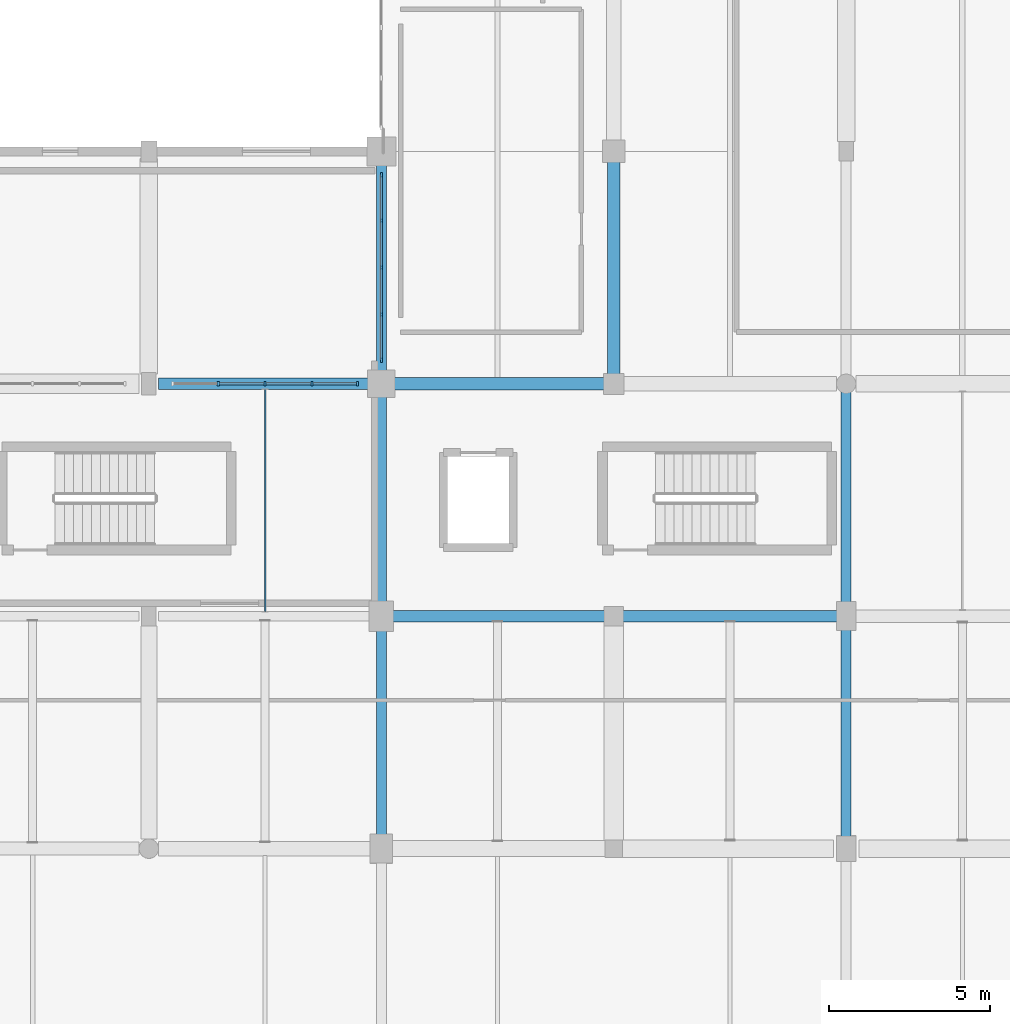
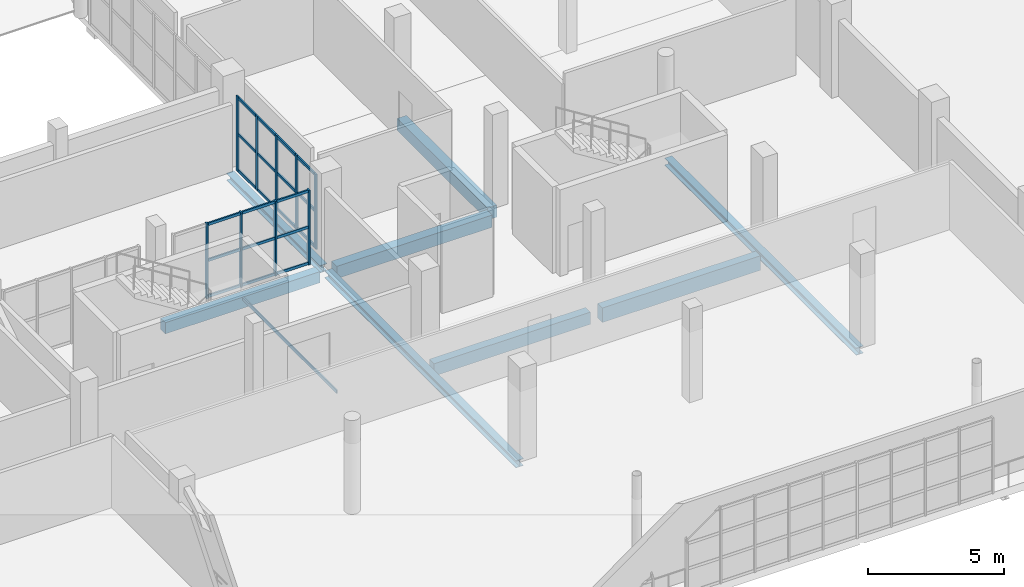
# One storey, part 35 of 90: 30 members, 9 beams, 2 elements without a shape of their own.
"""IFC4 building model written with IfcOpenShell, lengths in metres."""

from ifc_helpers import new_model, si_unit, direction, frame, origin, origin_2d, place, context, subcontext, project, spatial, rectangle, hollow_rectangle, i_section, extrude, material, material_profile, profile_set, type_object, element, aggregate, save


model = new_model("IFC4")

# Units and contexts
model_context = context("Model", 3, precision=1e-05, world=origin(), true_north=direction((0.0, 1.0)))
body_context = subcontext(model_context, "Body", "Model", "MODEL_VIEW")
ifc_project = project(units=[si_unit("LENGTHUNIT", "METRE"), si_unit("AREAUNIT", "SQUARE_METRE"), si_unit("VOLUMEUNIT", "CUBIC_METRE"), si_unit("PLANEANGLEUNIT", "RADIAN"), si_unit("MASSUNIT", "GRAM", prefix="KILO")], contexts=[model_context])

# Site, building, storey
site_placement = place(None, origin())
site = spatial("IfcSite", under=ifc_project, at=site_placement, CompositionType="ELEMENT")
building_placement = place(site_placement, origin())
building = spatial("IfcBuilding", under=site, at=building_placement, Name="Solanera Park Tramway Depot", CompositionType="ELEMENT")
storey_placement = place(building_placement, frame((0.0, 0.0, 9.0)))
storey = spatial("IfcBuildingStorey", under=building, at=storey_placement, Name="L02", CompositionType="ELEMENT", Elevation=9.0)

# Curtain wall, members
ifc_material_1 = material(Name="Bronze-anodised thermally broken aluminium curtain wall", Category="aluminium")
curtain_wall_type = type_object("IfcCurtainWallType", Name="Courtyard Cloister Unitised Curtain Wall", PredefinedType="NOTDEFINED", material=ifc_material_1)
curtain_wall_1_placement = place(storey_placement, origin())
curtain_wall_1 = element("IfcCurtainWall", 1, at=curtain_wall_1_placement, inside=storey, type_object=curtain_wall_type, Name="L02 Courtyard Cloister Unitised Curtain Wall #109", PredefinedType="NOTDEFINED")
ifc_material_2 = material(Name="Bronze-anodised structural aluminium 6063-T6", Category="aluminium")
ifc_material_profile_1 = material_profile(ifc_material_2, rectangle(XDim=0.06494140625, YDim=0.14990234375, at=origin_2d()), Name="Curtain Wall Mullion 65x150")
ifc_profile_set_1 = profile_set([ifc_material_profile_1], Name="Bronze-anodised structural aluminium 6063-T6")
member_type_1 = type_object("IfcMemberType", Name="Curtain Wall Mullion 65x150", PredefinedType="MULLION", material=ifc_profile_set_1)
member_1_placement = place(storey_placement, frame((160.550048828125, 25.199951171875, 0.0), z_axis=(0.0, 0.0, 1.0), x_axis=(1.0, 0.0, 0.0)))
member_1 = element("IfcMember", 2, at=member_1_placement, type_object=member_type_1, Name="CW-L02-109 Mullion 2", PredefinedType="MULLION", context=body_context, shape_type="SweptSolid", body=[
    extrude(rectangle(XDim=0.06494140625, YDim=0.14990234375, at=origin_2d()), origin(), (0.0, 0.0, 1.0), 3.35009765625),
])
member_2_placement = place(storey_placement, frame((162.0, 25.199951171875, 0.0), z_axis=(0.0, 0.0, 1.0), x_axis=(1.0, 0.0, 0.0)))
member_2 = element("IfcMember", 3, at=member_2_placement, type_object=member_type_1, Name="CW-L02-109 Mullion 3", PredefinedType="MULLION", context=body_context, shape_type="SweptSolid", body=[
    extrude(rectangle(XDim=0.06494140625, YDim=0.14990234375, at=origin_2d()), origin(), (0.0, 0.0, 1.0), 3.35009765625),
])
member_3_placement = place(storey_placement, frame((163.449951171875, 25.199951171875, 0.0), z_axis=(0.0, 0.0, 1.0), x_axis=(1.0, 0.0, 0.0)))
member_3 = element("IfcMember", 4, at=member_3_placement, type_object=member_type_1, Name="CW-L02-109 Mullion 4", PredefinedType="MULLION", context=body_context, shape_type="SweptSolid", body=[
    extrude(rectangle(XDim=0.06494140625, YDim=0.14990234375, at=origin_2d()), origin(), (0.0, 0.0, 1.0), 3.35009765625),
])
member_4_placement = place(storey_placement, frame((164.867431640625, 25.199951171875, 0.0), z_axis=(0.0, 0.0, 1.0), x_axis=(1.0, 0.0, 0.0)))
member_4 = element("IfcMember", 5, at=member_4_placement, type_object=member_type_1, Name="CW-L02-109 Mullion 5", PredefinedType="MULLION", context=body_context, shape_type="SweptSolid", body=[
    extrude(rectangle(XDim=0.06494140625, YDim=0.14990234375, at=origin_2d()), origin(), (0.0, 0.0, 1.0), 3.35009765625),
])

curtain_wall_2_placement = place(storey_placement, origin())
curtain_wall_2 = element("IfcCurtainWall", 6, at=curtain_wall_2_placement, inside=storey, type_object=curtain_wall_type, Name="L02 Courtyard Cloister Unitised Curtain Wall #111", PredefinedType="NOTDEFINED")
member_5_placement = place(storey_placement, frame((165.60009765625, 31.66748046875, 0.0), z_axis=(0.0, 0.0, 1.0), x_axis=(1.0, 0.0, 0.0)))
member_5 = element("IfcMember", 7, at=member_5_placement, type_object=member_type_1, Name="CW-L02-111 Mullion 1", PredefinedType="MULLION", context=body_context, shape_type="SweptSolid", body=[
    extrude(rectangle(XDim=0.06494140625, YDim=0.14990234375, at=origin_2d()), origin(), (0.0, 0.0, 1.0), 3.35009765625),
])
member_6_placement = place(storey_placement, frame((165.60009765625, 30.25, 0.0), z_axis=(0.0, 0.0, 1.0), x_axis=(1.0, 0.0, 0.0)))
member_6 = element("IfcMember", 8, at=member_6_placement, type_object=member_type_1, Name="CW-L02-111 Mullion 2", PredefinedType="MULLION", context=body_context, shape_type="SweptSolid", body=[
    extrude(rectangle(XDim=0.06494140625, YDim=0.14990234375, at=origin_2d()), origin(), (0.0, 0.0, 1.0), 3.35009765625),
])
member_7_placement = place(storey_placement, frame((165.60009765625, 28.800048828125, 0.0), z_axis=(0.0, 0.0, 1.0), x_axis=(1.0, 0.0, 0.0)))
member_7 = element("IfcMember", 9, at=member_7_placement, type_object=member_type_1, Name="CW-L02-111 Mullion 3", PredefinedType="MULLION", context=body_context, shape_type="SweptSolid", body=[
    extrude(rectangle(XDim=0.06494140625, YDim=0.14990234375, at=origin_2d()), origin(), (0.0, 0.0, 1.0), 3.35009765625),
])
member_8_placement = place(storey_placement, frame((165.60009765625, 27.35009765625, 0.0), z_axis=(0.0, 0.0, 1.0), x_axis=(1.0, 0.0, 0.0)))
member_8 = element("IfcMember", 10, at=member_8_placement, type_object=member_type_1, Name="CW-L02-111 Mullion 4", PredefinedType="MULLION", context=body_context, shape_type="SweptSolid", body=[
    extrude(rectangle(XDim=0.06494140625, YDim=0.14990234375, at=origin_2d()), origin(), (0.0, 0.0, 1.0), 3.35009765625),
])
member_9_placement = place(storey_placement, frame((165.60009765625, 25.9326171875, 0.0), z_axis=(0.0, 0.0, 1.0), x_axis=(1.0, 0.0, 0.0)))
member_9 = element("IfcMember", 11, at=member_9_placement, type_object=member_type_1, Name="CW-L02-111 Mullion 5", PredefinedType="MULLION", context=body_context, shape_type="SweptSolid", body=[
    extrude(rectangle(XDim=0.06494140625, YDim=0.14990234375, at=origin_2d()), origin(), (0.0, 0.0, 1.0), 3.35009765625),
])

# Member
ifc_material_3 = material(Name="Bronze-anodised structural aluminium 6063-T6", Category="aluminium")
ifc_material_profile_2 = material_profile(ifc_material_3, rectangle(XDim=0.06494140625, YDim=0.1201171875, at=origin_2d()), Name="Curtain Wall Transom 65x120")
ifc_profile_set_2 = profile_set([ifc_material_profile_2], Name="Bronze-anodised structural aluminium 6063-T6")
member_type_2 = type_object("IfcMemberType", Name="Curtain Wall Transom 65x120", PredefinedType="USERDEFINED", material=ifc_profile_set_2)
member_10_placement = place(storey_placement, frame((160.577880859375, 25.199951171875, 0.06005859375), z_axis=(1.0, 0.0, 0.0), x_axis=(0.0, 1.0, 0.0)))
member_10 = element("IfcMember", 12, at=member_10_placement, type_object=member_type_2, Name="CW-L02-109 Transom R1.C2", ObjectType="TRANSOM", PredefinedType="USERDEFINED", context=body_context, shape_type="SweptSolid", body=[
    extrude(rectangle(XDim=0.06494140625, YDim=0.1201171875, at=origin_2d()), origin(), (0.0, 0.0, 1.0), 1.39404296875),
])

member_11_placement = place(storey_placement, frame((162.028076171875, 25.199951171875, 0.06005859375), z_axis=(1.0, 0.0, 0.0), x_axis=(0.0, 1.0, 0.0)))
member_11 = element("IfcMember", 13, at=member_11_placement, type_object=member_type_2, Name="CW-L02-109 Transom R1.C3", ObjectType="TRANSOM", PredefinedType="USERDEFINED", context=body_context, shape_type="SweptSolid", body=[
    extrude(rectangle(XDim=0.06494140625, YDim=0.1201171875, at=origin_2d()), origin(), (0.0, 0.0, 1.0), 1.39404296875),
])

member_12_placement = place(storey_placement, frame((163.47802734375, 25.199951171875, 0.06005859375), z_axis=(1.0, 0.0, 0.0), x_axis=(0.0, 1.0, 0.0)))
member_12 = element("IfcMember", 14, at=member_12_placement, type_object=member_type_2, Name="CW-L02-109 Transom R1.C4", ObjectType="TRANSOM", PredefinedType="USERDEFINED", context=body_context, shape_type="SweptSolid", body=[
    extrude(rectangle(XDim=0.06494140625, YDim=0.1201171875, at=origin_2d()), origin(), (0.0, 0.0, 1.0), 1.361572265625),
])

member_13_placement = place(storey_placement, frame((160.577880859375, 25.199951171875, 1.675048828125), z_axis=(1.0, 0.0, 0.0), x_axis=(0.0, 1.0, 0.0)))
member_13 = element("IfcMember", 15, at=member_13_placement, type_object=member_type_2, Name="CW-L02-109 Transom R2.C2", ObjectType="TRANSOM", PredefinedType="USERDEFINED", context=body_context, shape_type="SweptSolid", body=[
    extrude(rectangle(XDim=0.06494140625, YDim=0.1201171875, at=origin_2d()), origin(), (0.0, 0.0, 1.0), 1.39404296875),
])

member_14_placement = place(storey_placement, frame((162.028076171875, 25.199951171875, 1.675048828125), z_axis=(1.0, 0.0, 0.0), x_axis=(0.0, 1.0, 0.0)))
member_14 = element("IfcMember", 16, at=member_14_placement, type_object=member_type_2, Name="CW-L02-109 Transom R2.C3", ObjectType="TRANSOM", PredefinedType="USERDEFINED", context=body_context, shape_type="SweptSolid", body=[
    extrude(rectangle(XDim=0.06494140625, YDim=0.1201171875, at=origin_2d()), origin(), (0.0, 0.0, 1.0), 1.39404296875),
])

member_15_placement = place(storey_placement, frame((163.47802734375, 25.199951171875, 1.675048828125), z_axis=(1.0, 0.0, 0.0), x_axis=(0.0, 1.0, 0.0)))
member_15 = element("IfcMember", 17, at=member_15_placement, type_object=member_type_2, Name="CW-L02-109 Transom R2.C4", ObjectType="TRANSOM", PredefinedType="USERDEFINED", context=body_context, shape_type="SweptSolid", body=[
    extrude(rectangle(XDim=0.06494140625, YDim=0.1201171875, at=origin_2d()), origin(), (0.0, 0.0, 1.0), 1.361572265625),
])

member_16_placement = place(storey_placement, frame((160.577880859375, 25.199951171875, 3.2900390625), z_axis=(1.0, 0.0, 0.0), x_axis=(0.0, 1.0, 0.0)))
member_16 = element("IfcMember", 18, at=member_16_placement, type_object=member_type_2, Name="CW-L02-109 Transom R3.C2", ObjectType="TRANSOM", PredefinedType="USERDEFINED", context=body_context, shape_type="SweptSolid", body=[
    extrude(rectangle(XDim=0.06494140625, YDim=0.1201171875, at=origin_2d()), origin(), (0.0, 0.0, 1.0), 1.39404296875),
])

member_17_placement = place(storey_placement, frame((162.028076171875, 25.199951171875, 3.2900390625), z_axis=(1.0, 0.0, 0.0), x_axis=(0.0, 1.0, 0.0)))
member_17 = element("IfcMember", 19, at=member_17_placement, type_object=member_type_2, Name="CW-L02-109 Transom R3.C3", ObjectType="TRANSOM", PredefinedType="USERDEFINED", context=body_context, shape_type="SweptSolid", body=[
    extrude(rectangle(XDim=0.06494140625, YDim=0.1201171875, at=origin_2d()), origin(), (0.0, 0.0, 1.0), 1.39404296875),
])

member_18_placement = place(storey_placement, frame((163.47802734375, 25.199951171875, 3.2900390625), z_axis=(1.0, 0.0, 0.0), x_axis=(0.0, 1.0, 0.0)))
member_18 = element("IfcMember", 20, at=member_18_placement, type_object=member_type_2, Name="CW-L02-109 Transom R3.C4", ObjectType="TRANSOM", PredefinedType="USERDEFINED", context=body_context, shape_type="SweptSolid", body=[
    extrude(rectangle(XDim=0.06494140625, YDim=0.1201171875, at=origin_2d()), origin(), (0.0, 0.0, 1.0), 1.361572265625),
])

aggregate(curtain_wall_1, [member_1, member_2, member_3, member_4, member_10, member_11, member_12, member_13, member_14, member_15, member_16, member_17, member_18])

member_19_placement = place(storey_placement, frame((165.60009765625, 31.639404296875, 0.06005859375), z_axis=(0.0, -1.0, 0.0), x_axis=(1.0, 0.0, 0.0)))
member_19 = element("IfcMember", 21, at=member_19_placement, type_object=member_type_2, Name="CW-L02-111 Transom R1.C1", ObjectType="TRANSOM", PredefinedType="USERDEFINED", context=body_context, shape_type="SweptSolid", body=[
    extrude(rectangle(XDim=0.06494140625, YDim=0.1201171875, at=origin_2d()), origin(), (0.0, 0.0, 1.0), 1.361328125),
])

member_20_placement = place(storey_placement, frame((165.60009765625, 30.221923828125, 0.06005859375), z_axis=(0.0, -1.0, 0.0), x_axis=(1.0, 0.0, 0.0)))
member_20 = element("IfcMember", 22, at=member_20_placement, type_object=member_type_2, Name="CW-L02-111 Transom R1.C2", ObjectType="TRANSOM", PredefinedType="USERDEFINED", context=body_context, shape_type="SweptSolid", body=[
    extrude(rectangle(XDim=0.06494140625, YDim=0.1201171875, at=origin_2d()), origin(), (0.0, 0.0, 1.0), 1.39404296875),
])

member_21_placement = place(storey_placement, frame((165.60009765625, 28.77197265625, 0.06005859375), z_axis=(0.0, -1.0, 0.0), x_axis=(1.0, 0.0, 0.0)))
member_21 = element("IfcMember", 23, at=member_21_placement, type_object=member_type_2, Name="CW-L02-111 Transom R1.C3", ObjectType="TRANSOM", PredefinedType="USERDEFINED", context=body_context, shape_type="SweptSolid", body=[
    extrude(rectangle(XDim=0.06494140625, YDim=0.1201171875, at=origin_2d()), origin(), (0.0, 0.0, 1.0), 1.39404296875),
])

member_22_placement = place(storey_placement, frame((165.60009765625, 27.322021484375, 0.06005859375), z_axis=(0.0, -1.0, 0.0), x_axis=(1.0, 0.0, 0.0)))
member_22 = element("IfcMember", 24, at=member_22_placement, type_object=member_type_2, Name="CW-L02-111 Transom R1.C4", ObjectType="TRANSOM", PredefinedType="USERDEFINED", context=body_context, shape_type="SweptSolid", body=[
    extrude(rectangle(XDim=0.06494140625, YDim=0.1201171875, at=origin_2d()), origin(), (0.0, 0.0, 1.0), 1.361572265625),
])

member_23_placement = place(storey_placement, frame((165.60009765625, 31.639404296875, 1.675048828125), z_axis=(0.0, -1.0, 0.0), x_axis=(1.0, 0.0, 0.0)))
member_23 = element("IfcMember", 25, at=member_23_placement, type_object=member_type_2, Name="CW-L02-111 Transom R2.C1", ObjectType="TRANSOM", PredefinedType="USERDEFINED", context=body_context, shape_type="SweptSolid", body=[
    extrude(rectangle(XDim=0.06494140625, YDim=0.1201171875, at=origin_2d()), origin(), (0.0, 0.0, 1.0), 1.361328125),
])

member_24_placement = place(storey_placement, frame((165.60009765625, 30.221923828125, 1.675048828125), z_axis=(0.0, -1.0, 0.0), x_axis=(1.0, 0.0, 0.0)))
member_24 = element("IfcMember", 26, at=member_24_placement, type_object=member_type_2, Name="CW-L02-111 Transom R2.C2", ObjectType="TRANSOM", PredefinedType="USERDEFINED", context=body_context, shape_type="SweptSolid", body=[
    extrude(rectangle(XDim=0.06494140625, YDim=0.1201171875, at=origin_2d()), origin(), (0.0, 0.0, 1.0), 1.39404296875),
])

member_25_placement = place(storey_placement, frame((165.60009765625, 28.77197265625, 1.675048828125), z_axis=(0.0, -1.0, 0.0), x_axis=(1.0, 0.0, 0.0)))
member_25 = element("IfcMember", 27, at=member_25_placement, type_object=member_type_2, Name="CW-L02-111 Transom R2.C3", ObjectType="TRANSOM", PredefinedType="USERDEFINED", context=body_context, shape_type="SweptSolid", body=[
    extrude(rectangle(XDim=0.06494140625, YDim=0.1201171875, at=origin_2d()), origin(), (0.0, 0.0, 1.0), 1.39404296875),
])

member_26_placement = place(storey_placement, frame((165.60009765625, 27.322021484375, 1.675048828125), z_axis=(0.0, -1.0, 0.0), x_axis=(1.0, 0.0, 0.0)))
member_26 = element("IfcMember", 28, at=member_26_placement, type_object=member_type_2, Name="CW-L02-111 Transom R2.C4", ObjectType="TRANSOM", PredefinedType="USERDEFINED", context=body_context, shape_type="SweptSolid", body=[
    extrude(rectangle(XDim=0.06494140625, YDim=0.1201171875, at=origin_2d()), origin(), (0.0, 0.0, 1.0), 1.361572265625),
])

member_27_placement = place(storey_placement, frame((165.60009765625, 31.639404296875, 3.2900390625), z_axis=(0.0, -1.0, 0.0), x_axis=(1.0, 0.0, 0.0)))
member_27 = element("IfcMember", 29, at=member_27_placement, type_object=member_type_2, Name="CW-L02-111 Transom R3.C1", ObjectType="TRANSOM", PredefinedType="USERDEFINED", context=body_context, shape_type="SweptSolid", body=[
    extrude(rectangle(XDim=0.06494140625, YDim=0.1201171875, at=origin_2d()), origin(), (0.0, 0.0, 1.0), 1.361328125),
])

member_28_placement = place(storey_placement, frame((165.60009765625, 30.221923828125, 3.2900390625), z_axis=(0.0, -1.0, 0.0), x_axis=(1.0, 0.0, 0.0)))
member_28 = element("IfcMember", 30, at=member_28_placement, type_object=member_type_2, Name="CW-L02-111 Transom R3.C2", ObjectType="TRANSOM", PredefinedType="USERDEFINED", context=body_context, shape_type="SweptSolid", body=[
    extrude(rectangle(XDim=0.06494140625, YDim=0.1201171875, at=origin_2d()), origin(), (0.0, 0.0, 1.0), 1.39404296875),
])

member_29_placement = place(storey_placement, frame((165.60009765625, 28.77197265625, 3.2900390625), z_axis=(0.0, -1.0, 0.0), x_axis=(1.0, 0.0, 0.0)))
member_29 = element("IfcMember", 31, at=member_29_placement, type_object=member_type_2, Name="CW-L02-111 Transom R3.C3", ObjectType="TRANSOM", PredefinedType="USERDEFINED", context=body_context, shape_type="SweptSolid", body=[
    extrude(rectangle(XDim=0.06494140625, YDim=0.1201171875, at=origin_2d()), origin(), (0.0, 0.0, 1.0), 1.39404296875),
])

member_30_placement = place(storey_placement, frame((165.60009765625, 27.322021484375, 3.2900390625), z_axis=(0.0, -1.0, 0.0), x_axis=(1.0, 0.0, 0.0)))
member_30 = element("IfcMember", 32, at=member_30_placement, type_object=member_type_2, Name="CW-L02-111 Transom R3.C4", ObjectType="TRANSOM", PredefinedType="USERDEFINED", context=body_context, shape_type="SweptSolid", body=[
    extrude(rectangle(XDim=0.06494140625, YDim=0.1201171875, at=origin_2d()), origin(), (0.0, 0.0, 1.0), 1.361572265625),
])

aggregate(curtain_wall_2, [member_5, member_6, member_7, member_8, member_9, member_19, member_20, member_21, member_22, member_23, member_24, member_25, member_26, member_27, member_28, member_29, member_30])

# Beams
ifc_material_4 = material(Name="Concrete N40 (C40/50)", Category="concrete")
ifc_material_profile_3 = material_profile(ifc_material_4, rectangle(XDim=0.35009765625, YDim=0.5, at=origin_2d()), Name="RCB 350x500")
ifc_profile_set_3 = profile_set([ifc_material_profile_3], Name="Concrete N40 (C40/50)")
beam_type_1 = type_object("IfcBeamType", Name="RC Floor Beam RCB 350x500", PredefinedType="BEAM", material=ifc_profile_set_3)
beam_1_placement = place(storey_placement, frame((158.699951171875, 25.199951171875, -0.614013671875), z_axis=(1.0, 0.0, 0.0), x_axis=(0.0, 1.0, 0.0)))
element("IfcBeam", 33, at=beam_1_placement, inside=storey, type_object=beam_type_1, Name="L02 Primary X-Girder RCB 350x500 #0127", PredefinedType="BEAM", context=body_context, shape_type="SweptSolid", body=[
    extrude(rectangle(XDim=0.35009765625, YDim=0.5, at=origin_2d()), origin(), (0.0, 0.0, 1.0), 6.550048828125),
])
ifc_material_5 = material(Name="Concrete N40 (C40/50)", Category="concrete")
ifc_material_profile_4 = material_profile(ifc_material_5, rectangle(XDim=0.35009765625, YDim=0.550048828125, at=origin_2d()), Name="RCB 350x550")
ifc_profile_set_4 = profile_set([ifc_material_profile_4], Name="Concrete N40 (C40/50)")
beam_type_2 = type_object("IfcBeamType", Name="RC Floor Beam RCB 350x550", PredefinedType="BEAM", material=ifc_profile_set_4)
beam_2_placement = place(storey_placement, frame((165.925048828125, 18.0, -0.638916015625), z_axis=(1.0, 0.0, 0.0), x_axis=(0.0, 1.0, 0.0)))
element("IfcBeam", 34, at=beam_2_placement, inside=storey, type_object=beam_type_2, Name="L02 Primary X-Girder RCB 350x550 #0117", PredefinedType="BEAM", context=body_context, shape_type="SweptSolid", body=[
    extrude(rectangle(XDim=0.35009765625, YDim=0.550048828125, at=origin_2d()), origin(), (0.0, 0.0, 1.0), 6.625),
])
ifc_material_6 = material(Name="Concrete N40 (C40/50)", Category="concrete")
ifc_material_profile_5 = material_profile(ifc_material_6, rectangle(XDim=0.35009765625, YDim=0.64990234375, at=origin_2d()), Name="RCB 350x650")
ifc_profile_set_5 = profile_set([ifc_material_profile_5], Name="Concrete N40 (C40/50)")
beam_type_3 = type_object("IfcBeamType", Name="RC Floor Beam RCB 350x650", PredefinedType="BEAM", material=ifc_profile_set_5)
beam_3_placement = place(storey_placement, frame((173.050048828125, 18.0, -0.68896484375), z_axis=(1.0, 0.0, 0.0), x_axis=(0.0, 1.0, 0.0)))
element("IfcBeam", 35, at=beam_3_placement, inside=storey, type_object=beam_type_3, Name="L02 Primary X-Girder RCB 350x650 #0118", PredefinedType="BEAM", context=body_context, shape_type="SweptSolid", body=[
    extrude(rectangle(XDim=0.35009765625, YDim=0.64990234375, at=origin_2d()), origin(), (0.0, 0.0, 1.0), 6.699951171875),
])
ifc_material_7 = material(Name="Concrete N40 (C40/50)", Category="concrete")
ifc_material_profile_6 = material_profile(ifc_material_7, rectangle(XDim=0.39990234375, YDim=0.550048828125, at=origin_2d()), Name="RCB 400x550")
ifc_profile_set_6 = profile_set([ifc_material_profile_6], Name="Concrete N40 (C40/50)")
beam_type_4 = type_object("IfcBeamType", Name="RC Floor Beam RCB 400x550", PredefinedType="BEAM", material=ifc_profile_set_6)
beam_4_placement = place(storey_placement, frame((165.949951171875, 25.199951171875, -0.638916015625), z_axis=(1.0, 0.0, 0.0), x_axis=(0.0, 1.0, 0.0)))
element("IfcBeam", 36, at=beam_4_placement, inside=storey, type_object=beam_type_4, Name="L02 Primary X-Girder RCB 400x550 #0128", PredefinedType="BEAM", context=body_context, shape_type="SweptSolid", body=[
    extrude(rectangle(XDim=0.39990234375, YDim=0.550048828125, at=origin_2d()), origin(), (0.0, 0.0, 1.0), 6.574951171875),
])
beam_5_placement = place(storey_placement, frame((172.800048828125, 25.47509765625, -0.638916015625), z_axis=(0.0, 1.0, 0.0), x_axis=(-1.0, 0.0, 0.0)))
element("IfcBeam", 37, at=beam_5_placement, inside=storey, type_object=beam_type_4, Name="L02 Primary Y-Girder RCB 400x550 #0152", PredefinedType="BEAM", context=body_context, shape_type="SweptSolid", body=[
    extrude(rectangle(XDim=0.39990234375, YDim=0.550048828125, at=origin_2d()), origin(), (0.0, 0.0, 1.0), 6.625),
])
ifc_material_8 = material(Name="Steel AS/NZS 3679.1 Grade 350", Category="steel")
ifc_material_profile_7 = material_profile(ifc_material_8, i_section(OverallWidth=0.310546875, OverallDepth=0.3271484375, WebThickness=0.015625, FlangeThickness=0.02490234375, at=origin_2d()), Name="310UC158")
ifc_profile_set_7 = profile_set([ifc_material_profile_7], Name="Steel AS/NZS 3679.1 Grade 350")
beam_type_5 = type_object("IfcBeamType", Name="Steel Beam 310UC158", PredefinedType="BEAM", material=ifc_profile_set_7)
beam_6_placement = place(storey_placement, frame((165.60009765625, 10.97998046875, -0.550048828125), z_axis=(0.0, 1.0, 0.0), x_axis=(-1.0, 0.0, 0.0)))
element("IfcBeam", 38, at=beam_6_placement, inside=storey, type_object=beam_type_5, Name="L02 Transfer Truss Backspan Chord 310UC158 #0332", PredefinedType="BEAM", context=body_context, shape_type="SweptSolid", body=[
    extrude(i_section(OverallWidth=0.310546875, OverallDepth=0.3271484375, WebThickness=0.015625, FlangeThickness=0.02490234375, at=origin_2d()), origin(), (0.0, 0.0, 1.0), 14.0400390625),
])
beam_7_placement = place(storey_placement, frame((165.60009765625, 25.3798828125, -0.550048828125), z_axis=(0.0, 1.0, 0.0), x_axis=(-1.0, 0.0, 0.0)))
element("IfcBeam", 39, at=beam_7_placement, inside=storey, type_object=beam_type_5, Name="L02 Transfer Truss Backspan Chord 310UC158 #0333", PredefinedType="BEAM", context=body_context, shape_type="SweptSolid", body=[
    extrude(i_section(OverallWidth=0.310546875, OverallDepth=0.3271484375, WebThickness=0.015625, FlangeThickness=0.02490234375, at=origin_2d()), origin(), (0.0, 0.0, 1.0), 6.840087890625),
])
beam_8_placement = place(storey_placement, frame((180.0, 10.97998046875, -0.550048828125), z_axis=(0.0, 1.0, 0.0), x_axis=(-1.0, 0.0, 0.0)))
element("IfcBeam", 40, at=beam_8_placement, inside=storey, type_object=beam_type_5, Name="L02 Transfer Truss Backspan Chord 310UC158 #0340", PredefinedType="BEAM", context=body_context, shape_type="SweptSolid", body=[
    extrude(i_section(OverallWidth=0.310546875, OverallDepth=0.3271484375, WebThickness=0.015625, FlangeThickness=0.02490234375, at=origin_2d()), origin(), (0.0, 0.0, 1.0), 14.0400390625),
])
ifc_material_9 = material(Name="Steel AS/NZS 1163 Grade C350L0", Category="steel")
ifc_material_profile_8 = material_profile(ifc_material_9, hollow_rectangle(XDim=0.050048828125, YDim=0.14990234375, WallThickness=0.0048828125, at=origin_2d()), Name="150x50x5.0 RHS")
ifc_profile_set_8 = profile_set([ifc_material_profile_8], Name="Steel AS/NZS 1163 Grade C350L0")
beam_type_6 = type_object("IfcBeamType", Name="Steel Joist Purlin 150x50x5.0 RHS", PredefinedType="JOIST", material=ifc_profile_set_8)
beam_9_placement = place(storey_placement, frame((162.0, 18.14208984375, -0.43896484375), z_axis=(0.0, 1.0, 0.0), x_axis=(-1.0, 0.0, 0.0)))
element("IfcBeam", 41, at=beam_9_placement, inside=storey, type_object=beam_type_6, Name="L02 Secondary Floor Joist 150x50x5.0 RHS #0185", PredefinedType="JOIST", context=body_context, shape_type="SweptSolid", body=[
    extrude(hollow_rectangle(XDim=0.050048828125, YDim=0.14990234375, WallThickness=0.0048828125, at=origin_2d()), origin(), (0.0, 0.0, 1.0), 6.890869140625),
])

save(model, "model.ifc")
